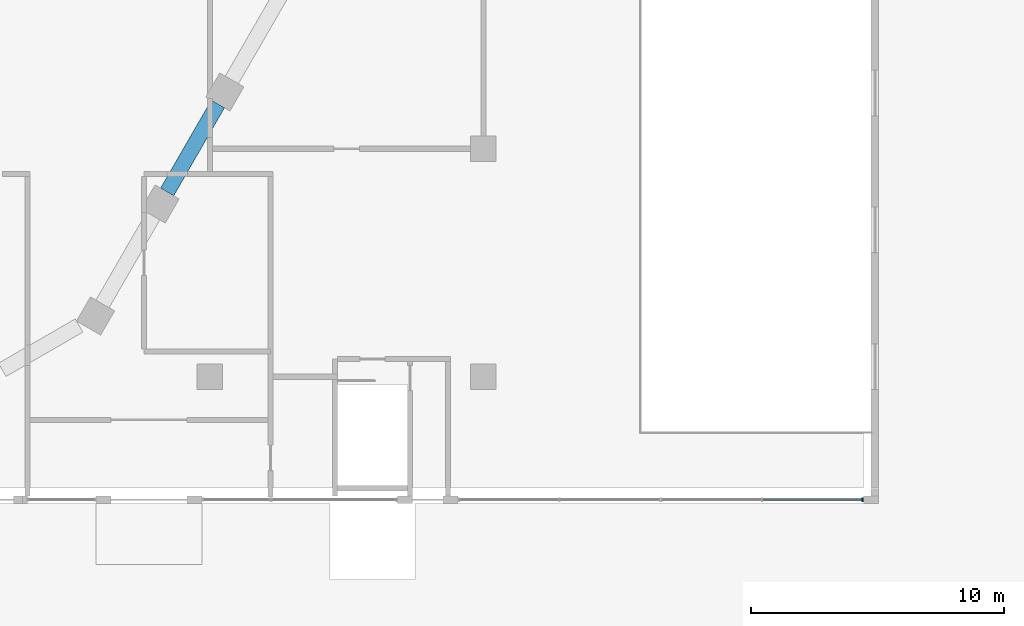
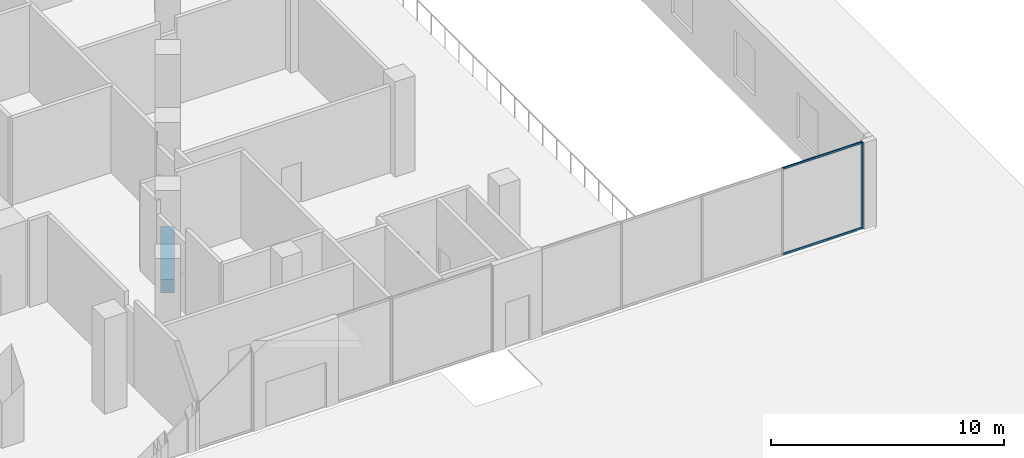
# One storey, part 8 of 57: 3 members, 1 beam, 1 element without a shape of its own.
"""IFC4 building model written with IfcOpenShell, lengths in metres."""

from ifc_helpers import new_model, si_unit, direction, frame, origin, origin_2d, place, context, subcontext, project, spatial, rectangle, hollow_rectangle, extrude, material, material_profile, profile_set, type_object, element, aggregate, save


model = new_model("IFC4")

# Units and contexts
model_context = context("Model", 3, precision=1e-05, world=origin(), true_north=direction((0.0, 1.0)))
body_context = subcontext(model_context, "Body", "Model", "MODEL_VIEW")
ifc_project = project(units=[si_unit("LENGTHUNIT", "METRE"), si_unit("AREAUNIT", "SQUARE_METRE"), si_unit("VOLUMEUNIT", "CUBIC_METRE"), si_unit("PLANEANGLEUNIT", "RADIAN"), si_unit("MASSUNIT", "GRAM", prefix="KILO")], contexts=[model_context])

# Site, building, storey
site_placement = place(None, origin())
site = spatial("IfcSite", under=ifc_project, at=site_placement, CompositionType="ELEMENT")
building_placement = place(site_placement, origin())
building = spatial("IfcBuilding", under=site, at=building_placement, Name="Beryl Residences", CompositionType="ELEMENT")
storey_placement = place(building_placement, origin())
storey = spatial("IfcBuildingStorey", under=building, at=storey_placement, Name="L00", CompositionType="ELEMENT", Elevation=0.0)

# Curtain wall, members
ifc_material_1 = material(Name="Aluminium and clear glass", Category="aluminium")
curtain_wall_type = type_object("IfcCurtainWallType", Name="CW1 shopfront glazed wall", PredefinedType="NOTDEFINED", material=ifc_material_1)
curtain_wall_placement = place(storey_placement, origin())
curtain_wall = element("IfcCurtainWall", 1, at=curtain_wall_placement, inside=storey, type_object=curtain_wall_type, Name="CW1 L00 S", PredefinedType="NOTDEFINED")
ifc_material_2 = material(Name="Aluminium", Category="aluminium")
ifc_material_profile_1 = material_profile(ifc_material_2, rectangle(XDim=0.06005859375, YDim=0.14990234375, at=origin_2d()))
ifc_profile_set_1 = profile_set([ifc_material_profile_1], Name="Aluminium")
member_type_1 = type_object("IfcMemberType", Name="CW1-M mullion 60 x 150 mm", PredefinedType="MULLION", material=ifc_profile_set_1)
member_1_placement = place(storey_placement, frame((47.3701171875, -31.85009765625, 0.0), z_axis=(0.0, 0.0, 1.0), x_axis=(1.0, 0.0, 0.0)))
member_1 = element("IfcMember", 2, at=member_1_placement, type_object=member_type_1, Name="CW1 mullion 5", PredefinedType="MULLION", context=body_context, shape_type="SweptSolid", body=[
    extrude(rectangle(XDim=0.06005859375, YDim=0.14990234375, at=origin_2d()), origin(), (0.0, 0.0, 1.0), 4.550048828125),
])
ifc_material_3 = material(Name="Aluminium", Category="aluminium")
ifc_material_profile_2 = material_profile(ifc_material_3, hollow_rectangle(XDim=0.06005859375, YDim=0.10009765625, WallThickness=0.00390625, at=origin_2d()))
ifc_profile_set_2 = profile_set([ifc_material_profile_2], Name="Aluminium")
member_type_2 = type_object("IfcMemberType", Name="CW1-T transom 60 x 100 mm", PredefinedType="USERDEFINED", material=ifc_profile_set_2)
member_2_placement = place(storey_placement, frame((43.429931640625, -31.85009765625, 0.030029296875), z_axis=(1.0, 0.0, 0.0), x_axis=(0.0, 1.0, 0.0)))
member_2 = element("IfcMember", 3, at=member_2_placement, type_object=member_type_2, Name="CW1 transom 4.1", ObjectType="TRANSOM", PredefinedType="USERDEFINED", context=body_context, shape_type="SweptSolid", body=[
    extrude(hollow_rectangle(XDim=0.06005859375, YDim=0.10009765625, WallThickness=0.00390625, at=origin_2d()), origin(), (0.0, 0.0, 1.0), 3.91015625),
])
member_3_placement = place(storey_placement, frame((43.429931640625, -31.85009765625, 4.52001953125), z_axis=(1.0, 0.0, 0.0), x_axis=(0.0, 1.0, 0.0)))
member_3 = element("IfcMember", 4, at=member_3_placement, type_object=member_type_2, Name="CW1 transom 4.2", ObjectType="TRANSOM", PredefinedType="USERDEFINED", context=body_context, shape_type="SweptSolid", body=[
    extrude(hollow_rectangle(XDim=0.06005859375, YDim=0.10009765625, WallThickness=0.00390625, at=origin_2d()), origin(), (0.0, 0.0, 1.0), 3.91015625),
])
aggregate(curtain_wall, [member_1, member_2, member_3])

# Beam
ifc_material_4 = material(Name="Concrete C80/95", Category="concrete")
ifc_material_profile_3 = material_profile(ifc_material_4, rectangle(XDim=0.60009765625, YDim=0.699951171875, at=origin_2d()))
ifc_profile_set_3 = profile_set([ifc_material_profile_3], Name="Concrete C80/95")
beam_type = type_object("IfcBeamType", Name="SB1 spandrel beam 600 x 700 C80/95", PredefinedType="SPANDREL", material=ifc_profile_set_3)
beam_placement = place(storey_placement, frame((19.9169921875, -19.7041015625, -0.800048828125), z_axis=(0.499836783367, 0.866119616446, 0.0), x_axis=(-0.866119616446, 0.499836783367, 0.0)))
element("IfcBeam", 5, at=beam_placement, inside=storey, type_object=beam_type, Name="SB1 L00 SE-1", PredefinedType="SPANDREL", context=body_context, shape_type="SweptSolid", body=[
    extrude(rectangle(XDim=0.60009765625, YDim=0.699951171875, at=origin_2d()), origin(), (0.0, 0.0, 1.0), 4.005126953125),
])

save(model, "model.ifc")
